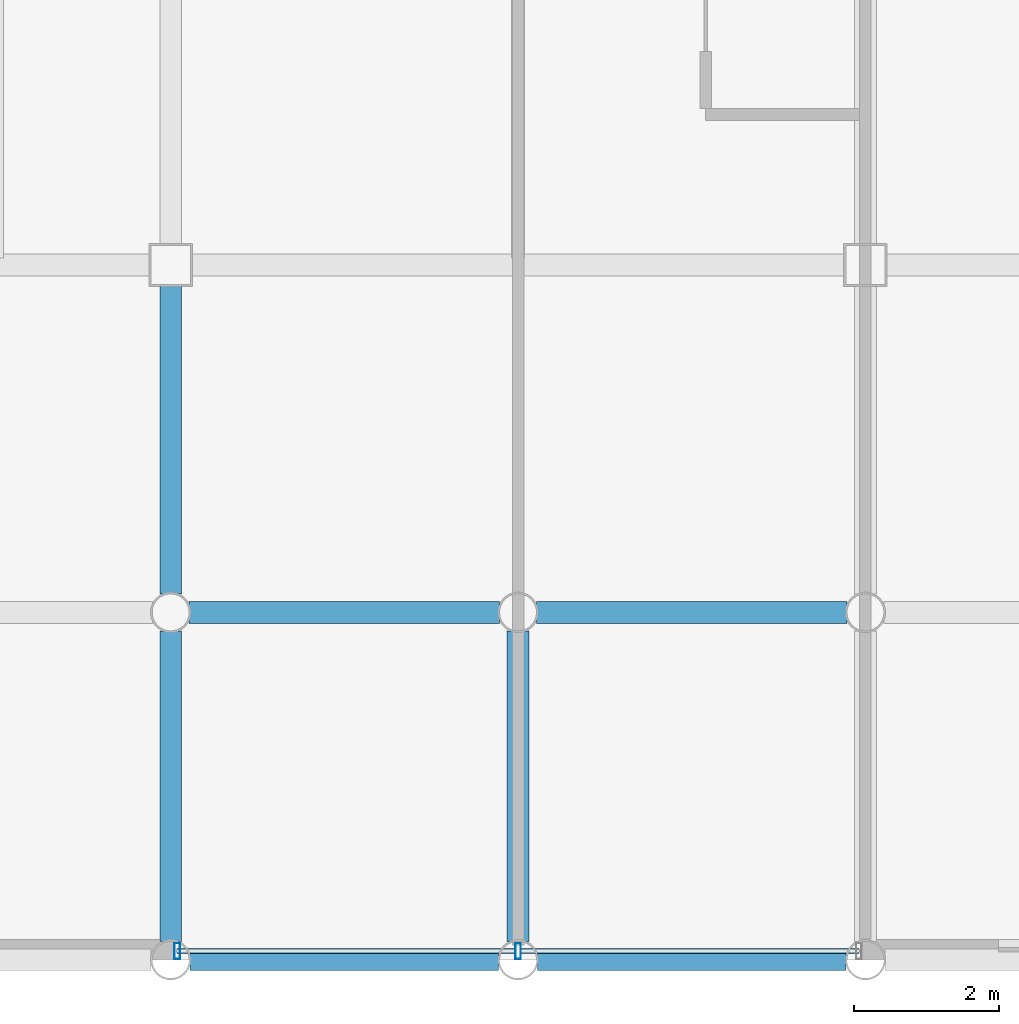
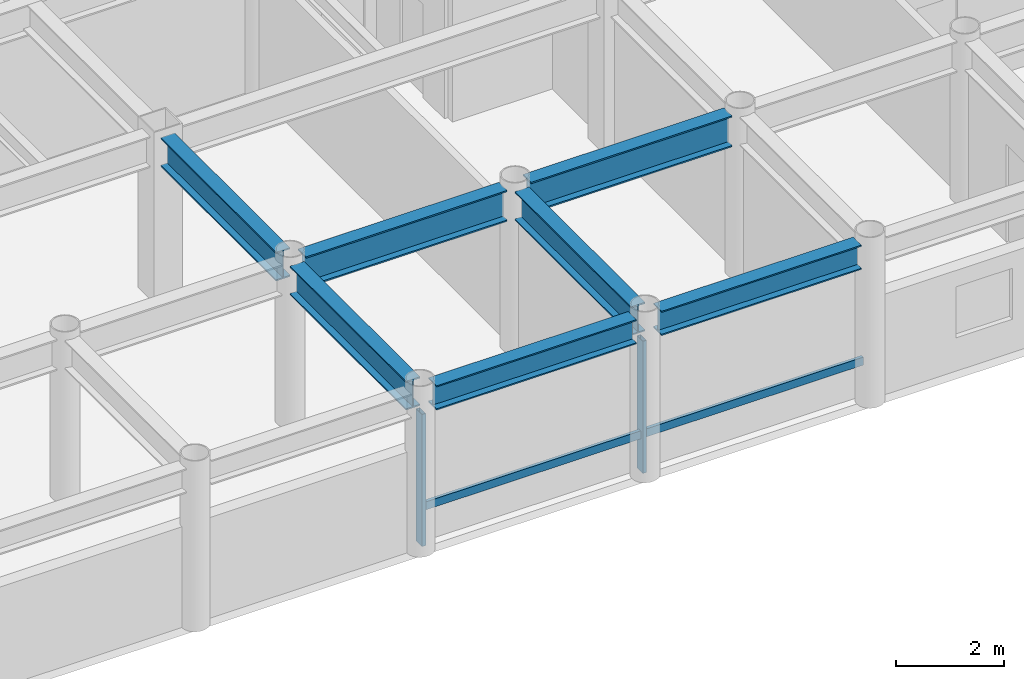
# One storey, part 4 of 22: 7 beams, 4 members, 1 element without a shape of its own.
"""IFC4 building model written with IfcOpenShell, lengths in metres."""

from ifc_helpers import new_model, si_unit, direction, frame, origin, origin_2d, place, context, subcontext, project, spatial, hollow_rectangle, i_section, extrude, material, layer, layer_set, material_profile, profile_set, type_object, element, aggregate, save


model = new_model("IFC4")

# Units and contexts
model_context = context("Model", 3, precision=1e-05, world=origin(), true_north=direction((0.0, 1.0)))
body_context = subcontext(model_context, "Body", "Model", "MODEL_VIEW")
ifc_project = project(units=[si_unit("LENGTHUNIT", "METRE"), si_unit("AREAUNIT", "SQUARE_METRE"), si_unit("VOLUMEUNIT", "CUBIC_METRE"), si_unit("PLANEANGLEUNIT", "RADIAN"), si_unit("MASSUNIT", "GRAM", prefix="KILO")], contexts=[model_context])

# Site, building, storey
site_placement = place(None, origin())
site = spatial("IfcSite", under=ifc_project, at=site_placement, CompositionType="ELEMENT")
building_placement = place(site_placement, origin())
building = spatial("IfcBuilding", under=site, at=building_placement, Name="Kallvorn Hotel Tower", CompositionType="ELEMENT")
storey_placement = place(building_placement, frame((0.0, 0.0, 203.050048828125)))
storey = spatial("IfcBuildingStorey", under=building, at=storey_placement, Name="L50", CompositionType="ELEMENT", Elevation=203.050048828125)

# Beams
ifc_material_1 = material(Name="Structural steel S355JR", Category="steel")
ifc_material_profile_1 = material_profile(ifc_material_1, i_section(OverallWidth=0.300048828125, OverallDepth=0.550048828125, WebThickness=0.014892578125, FlangeThickness=0.029052734375, at=origin_2d()), Name="HE 550 B")
ifc_profile_set_1 = profile_set([ifc_material_profile_1], Name="Structural steel S355JR")
beam_type_1 = type_object("IfcBeamType", Name="BM_HE550B", PredefinedType="SPANDREL", material=ifc_profile_set_1)
for number, where, z_axis, x_axis, name in (
    (1, (-4.530517578125, -24.0, 3.39501953125), (1.0, 0.0, 0.0), (0.0, 1.0, 0.0), "L51 Perimeter Spandrel 155"),
    (2, (0.26953125, -24.0, 3.39501953125), (1.0, 0.0, 0.0), (0.0, 1.0, 0.0), "L51 Perimeter Spandrel 156"),
):
    element("IfcBeam", number, at=place(storey_placement, frame(where, z_axis=z_axis, x_axis=x_axis)), inside=storey, type_object=beam_type_1, Name=name, PredefinedType="SPANDREL", context=body_context, shape_type="SweptSolid", body=[
        extrude(i_section(OverallWidth=0.300048828125, OverallDepth=0.550048828125, WebThickness=0.014892578125, FlangeThickness=0.029052734375, at=origin_2d()), origin(), (0.0, 0.0, 1.0), 4.260986328125),
    ])
ifc_material_2 = material(Name="Structural steel S355JR", Category="steel")
ifc_material_profile_2 = material_profile(ifc_material_2, i_section(OverallWidth=0.300048828125, OverallDepth=0.64990234375, WebThickness=0.01611328125, FlangeThickness=0.031005859375, at=origin_2d()), Name="HE 650 B")
ifc_profile_set_2 = profile_set([ifc_material_profile_2], Name="Structural steel S355JR")
beam_type_2 = type_object("IfcBeamType", Name="BM_HE650B", PredefinedType="BEAM", material=ifc_profile_set_2)
beam_1_placement = place(storey_placement, frame((-4.800048828125, -23.74560546875, 3.344970703125), z_axis=(0.0, 1.0, 0.0), x_axis=(-1.0, 0.0, 0.0)))
element("IfcBeam", 3, at=beam_1_placement, inside=storey, type_object=beam_type_2, Name="L51 Primary Y-Girder 105", PredefinedType="BEAM", context=body_context, shape_type="SweptSolid", body=[
    extrude(i_section(OverallWidth=0.300048828125, OverallDepth=0.64990234375, WebThickness=0.01611328125, FlangeThickness=0.031005859375, at=origin_2d()), origin(), (0.0, 0.0, 1.0), 4.291015625),
])
beam_2_placement = place(storey_placement, frame((-4.800048828125, -18.945556640625, 3.344970703125), z_axis=(0.0, 1.0, 0.0), x_axis=(-1.0, 0.0, 0.0)))
element("IfcBeam", 4, at=beam_2_placement, inside=storey, type_object=beam_type_2, Name="L51 Primary Y-Girder 106", PredefinedType="BEAM", context=body_context, shape_type="SweptSolid", body=[
    extrude(i_section(OverallWidth=0.300048828125, OverallDepth=0.64990234375, WebThickness=0.01611328125, FlangeThickness=0.031005859375, at=origin_2d()), origin(), (0.0, 0.0, 1.0), 4.2705078125),
])
beam_3_placement = place(storey_placement, frame((0.0, -23.74560546875, 3.344970703125), z_axis=(0.0, 1.0, 0.0), x_axis=(-1.0, 0.0, 0.0)))
element("IfcBeam", 5, at=beam_3_placement, inside=storey, type_object=beam_type_2, Name="L51 Primary Y-Girder 110", PredefinedType="BEAM", context=body_context, shape_type="SweptSolid", body=[
    extrude(i_section(OverallWidth=0.300048828125, OverallDepth=0.64990234375, WebThickness=0.01611328125, FlangeThickness=0.031005859375, at=origin_2d()), origin(), (0.0, 0.0, 1.0), 4.291015625),
])
ifc_material_3 = material(Name="Structural steel S355JR", Category="steel")
ifc_material_profile_3 = material_profile(ifc_material_3, i_section(OverallWidth=0.300048828125, OverallDepth=0.699951171875, WebThickness=0.01708984375, FlangeThickness=0.031982421875, at=origin_2d()), Name="HE 700 B")
ifc_profile_set_3 = profile_set([ifc_material_profile_3], Name="Structural steel S355JR")
beam_type_3 = type_object("IfcBeamType", Name="BM_HE700B", PredefinedType="BEAM", material=ifc_profile_set_3)
for number, where, z_axis, x_axis, name in (
    (6, (-4.54541015625, -19.199951171875, 3.320068359375), (1.0, 0.0, 0.0), (0.0, 1.0, 0.0), "L51 Primary X-Girder 06"),
    (7, (0.25439453125, -19.199951171875, 3.320068359375), (1.0, 0.0, 0.0), (0.0, 1.0, 0.0), "L51 Primary X-Girder 07"),
):
    element("IfcBeam", number, at=place(storey_placement, frame(where, z_axis=z_axis, x_axis=x_axis)), inside=storey, type_object=beam_type_3, Name=name, PredefinedType="BEAM", context=body_context, shape_type="SweptSolid", body=[
        extrude(i_section(OverallWidth=0.300048828125, OverallDepth=0.699951171875, WebThickness=0.01708984375, FlangeThickness=0.031982421875, at=origin_2d()), origin(), (0.0, 0.0, 1.0), 4.291015625),
    ])

# Curtain wall, members
ifc_material_4 = material(Name="Thermally broken black-anodised aluminium AA 6063-T6", Category="aluminium")
ifc_layer = layer(ifc_material_4, 0.22998046875)
ifc_layer_set = layer_set([ifc_layer], Name="CW_SYS_5_HOTEL_HIGH")
curtain_wall_type = type_object("IfcCurtainWallType", Name="CW_SYS_5_HOTEL_HIGH", PredefinedType="USERDEFINED", material=ifc_layer_set)
curtain_wall_placement = place(storey_placement, origin())
curtain_wall = element("IfcCurtainWall", 8, at=curtain_wall_placement, inside=storey, type_object=curtain_wall_type, Name="L50 Dark-Glass Curtain Wall CW-L50-SC", ObjectType="UNITISED CURTAIN WALL", PredefinedType="USERDEFINED")
ifc_material_5 = material(Name="Thermally broken black-anodised aluminium AA 6063-T6", Category="aluminium")
ifc_material_profile_4 = material_profile(ifc_material_5, hollow_rectangle(XDim=0.080078125, YDim=0.219970703125, WallThickness=0.0048828125, at=origin_2d()), Name="MUL 220x80")
ifc_profile_set_4 = profile_set([ifc_material_profile_4], Name="Thermally broken black-anodised aluminium AA 6063-T6")
member_type_1 = type_object("IfcMemberType", Name="CW_MULLION_220x80", PredefinedType="MULLION", material=ifc_profile_set_4)
member_1_placement = place(storey_placement, frame((-4.7099609375, -23.8798828125, 0.02001953125), z_axis=(0.0, 0.0, 1.0), x_axis=(1.0, 0.0, 0.0)))
member_1 = element("IfcMember", 9, at=member_1_placement, type_object=member_type_1, Name="CW-L50-SC Mullion 00", PredefinedType="MULLION", context=body_context, shape_type="SweptSolid", body=[
    extrude(hollow_rectangle(XDim=0.080078125, YDim=0.219970703125, WallThickness=0.0048828125, at=origin_2d()), origin(), (0.0, 0.0, 1.0), 2.97998046875),
])
member_2_placement = place(storey_placement, frame((0.0, -23.8798828125, 0.02001953125), z_axis=(0.0, 0.0, 1.0), x_axis=(1.0, 0.0, 0.0)))
member_2 = element("IfcMember", 10, at=member_2_placement, type_object=member_type_1, Name="CW-L50-SC Mullion 01", PredefinedType="MULLION", context=body_context, shape_type="SweptSolid", body=[
    extrude(hollow_rectangle(XDim=0.080078125, YDim=0.219970703125, WallThickness=0.0048828125, at=origin_2d()), origin(), (0.0, 0.0, 1.0), 2.97998046875),
])
ifc_material_6 = material(Name="Thermally broken black-anodised aluminium AA 6063-T6", Category="aluminium")
ifc_material_profile_5 = material_profile(ifc_material_6, hollow_rectangle(XDim=0.070068359375, YDim=0.179931640625, WallThickness=0.00390625, at=origin_2d()), Name="TRN 180x70")
ifc_profile_set_5 = profile_set([ifc_material_profile_5], Name="Thermally broken black-anodised aluminium AA 6063-T6")
member_type_2 = type_object("IfcMemberType", Name="CW_TRANSOM_180x70", PredefinedType="USERDEFINED", material=ifc_profile_set_5)
member_3_placement = place(storey_placement, frame((-4.7099609375, -23.8798828125, 0.849853515625), z_axis=(1.0, 0.0, 0.0), x_axis=(0.0, 1.0, 0.0)))
member_3 = element("IfcMember", 11, at=member_3_placement, type_object=member_type_2, Name="CW-L50-SC Transom 00M", ObjectType="TRANSOM", PredefinedType="USERDEFINED", context=body_context, shape_type="SweptSolid", body=[
    extrude(hollow_rectangle(XDim=0.070068359375, YDim=0.179931640625, WallThickness=0.00390625, at=origin_2d()), origin(), (0.0, 0.0, 1.0), 4.669921875),
])
member_4_placement = place(storey_placement, frame((0.0400390625, -23.8798828125, 0.849853515625), z_axis=(1.0, 0.0, 0.0), x_axis=(0.0, 1.0, 0.0)))
member_4 = element("IfcMember", 12, at=member_4_placement, type_object=member_type_2, Name="CW-L50-SC Transom 01M", ObjectType="TRANSOM", PredefinedType="USERDEFINED", context=body_context, shape_type="SweptSolid", body=[
    extrude(hollow_rectangle(XDim=0.070068359375, YDim=0.179931640625, WallThickness=0.00390625, at=origin_2d()), origin(), (0.0, 0.0, 1.0), 4.669921875),
])
aggregate(curtain_wall, [member_1, member_2, member_3, member_4])

save(model, "model.ifc")
